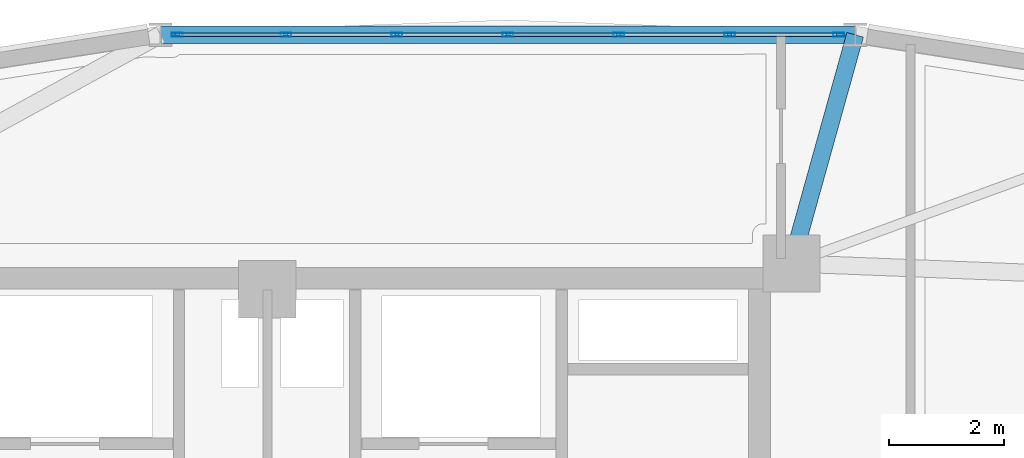
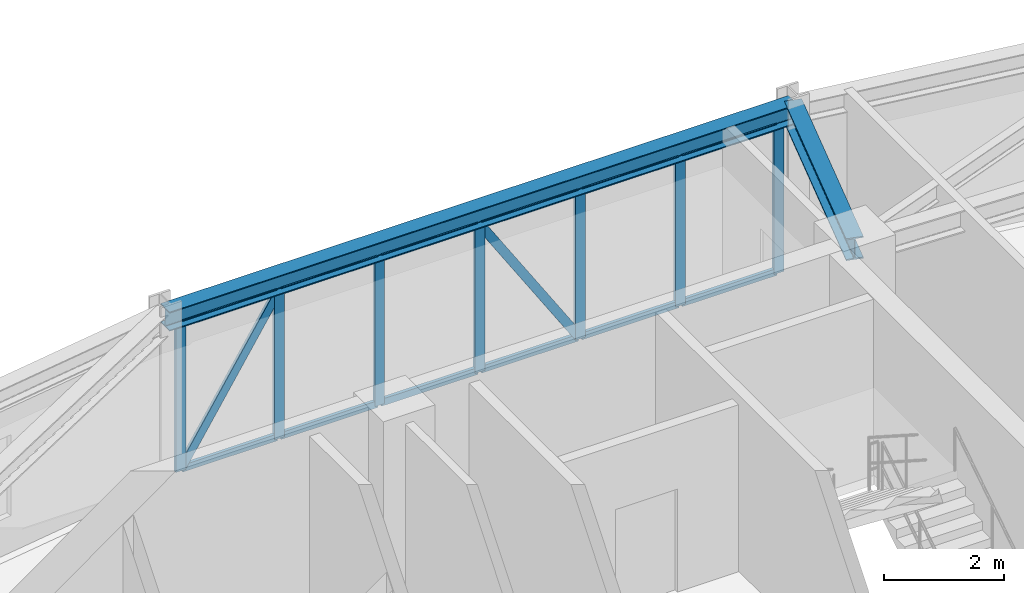
# One storey, part 9 of 16: 21 members, 2 beams, 1 element without a shape of its own.
"""IFC4 building model written with IfcOpenShell, lengths in metres."""

from ifc_helpers import new_model, si_unit, derived_unit, direction, frame, origin, origin_2d, place, context, subcontext, project, spatial, hollow_rectangle, i_section, extrude, source, transform, mapped, material, layer, layer_set, material_profile, profile_set, type_object, element, aggregate, save


model = new_model("IFC4")

# Units and contexts
model_context = context("Model", 3, precision=1e-05, world=origin(), true_north=direction((0.0, 1.0)))
body_context = subcontext(model_context, "Body", "Model", "MODEL_VIEW")
ifc_project = project(units=[si_unit("LENGTHUNIT", "METRE"), si_unit("AREAUNIT", "SQUARE_METRE"), si_unit("VOLUMEUNIT", "CUBIC_METRE"), si_unit("PLANEANGLEUNIT", "RADIAN"), si_unit("MASSUNIT", "GRAM", prefix="KILO"), derived_unit("THERMALTRANSMITTANCEUNIT", [(si_unit("POWERUNIT", "WATT"), 1), (si_unit("LENGTHUNIT", "METRE"), -2), (si_unit("THERMODYNAMICTEMPERATUREUNIT", "KELVIN"), -1)])], contexts=[model_context])

# Site, building, storey
site_placement = place(None, origin())
site = spatial("IfcSite", under=ifc_project, at=site_placement, CompositionType="ELEMENT")
building_placement = place(site_placement, origin())
building = spatial("IfcBuilding", under=site, at=building_placement, Name="Korsvarv Bourse and Concert Hall", CompositionType="ELEMENT")
storey_placement = place(building_placement, frame((0.0, 0.0, 227.39990234375)))
storey = spatial("IfcBuildingStorey", under=building, at=storey_placement, Name="L59", CompositionType="ELEMENT", Elevation=227.39990234375)

# Beams
ifc_material_1 = material(Name="Steel S355", Category="steel")
ifc_material_profile_1 = material_profile(ifc_material_1, i_section(OverallWidth=0.300048828125, OverallDepth=0.389892578125, WebThickness=0.010986328125, FlangeThickness=0.01904296875, FilletRadius=0.02099609375, at=origin_2d()), Name="HEA 400")
ifc_profile_set_1 = profile_set([ifc_material_profile_1], Name="Steel S355")
beam_type_1 = type_object("IfcBeamType", Name="BM-HEA400", PredefinedType="BEAM", material=ifc_profile_set_1)
shared_shape_1 = source(origin(), body_context, "Body", "SweptSolid", [
    extrude(i_section(OverallWidth=0.300048828125, OverallDepth=0.389892578125, WebThickness=0.010986328125, FlangeThickness=0.01904296875, FilletRadius=0.02099609375, at=origin_2d()), origin(), (0.0, 0.0, 1.0), 12.12353515625),
])
beam_1_placement = place(storey_placement, frame((46.26171875, 51.2412109375, 3.215087890625), z_axis=(-1.0, 0.0, 0.0), x_axis=(0.0, -1.0, 0.0)))
element("IfcBeam", 1, at=beam_1_placement, inside=storey, type_object=beam_type_1, Name="L59 beam B-11", PredefinedType="BEAM", context=body_context, shape_type="MappedRepresentation", body=[
    mapped(shared_shape_1, transform((0.0, 0.0, 0.0), scale=1.0)),
])
ifc_material_profile_2 = material_profile(ifc_material_1, i_section(OverallWidth=0.300048828125, OverallDepth=0.449951171875, WebThickness=0.013916015625, FlangeThickness=0.02587890625, FilletRadius=0.02099609375, at=origin_2d()), Name="HEB 450")
ifc_profile_set_2 = profile_set([ifc_material_profile_2], Name="Steel S355")
beam_type_2 = type_object("IfcBeamType", Name="BM-HEB450", PredefinedType="SPANDREL", material=ifc_profile_set_2)
shared_shape_2 = source(origin(), body_context, "Body", "SweptSolid", [
    extrude(i_section(OverallWidth=0.300048828125, OverallDepth=0.449951171875, WebThickness=0.013916015625, FlangeThickness=0.02587890625, FilletRadius=0.02099609375, at=origin_2d()), origin(), (0.0, 0.0, 1.0), 4.14306640625),
])
beam_2_placement = place(storey_placement, frame((46.26171875, 51.2412109375, 3.18505859375), z_axis=(-0.268348877683, -0.963321794545, 0.0), x_axis=(0.963321794545, -0.268348877683, 0.0)))
element("IfcBeam", 2, at=beam_2_placement, inside=storey, type_object=beam_type_2, Name="L59 beam B-08", PredefinedType="SPANDREL", context=body_context, shape_type="MappedRepresentation", body=[
    mapped(shared_shape_2, transform((0.0, 0.0, 0.0), scale=1.0)),
])

# Curtain wall, members
ifc_material_2 = material(Name="Anodised aluminium and triple low-E glazing", Category="glass")
ifc_layer = layer(ifc_material_2, 0.199951171875)
ifc_layer_set = layer_set([ifc_layer], Name="Anodised aluminium and triple low-E glazing")
curtain_wall_type = type_object("IfcCurtainWallType", Name="CW-SYS-3", PredefinedType="NOTDEFINED", material=ifc_layer_set)
curtain_wall_placement = place(storey_placement, origin())
curtain_wall = element("IfcCurtainWall", 3, at=curtain_wall_placement, inside=storey, type_object=curtain_wall_type, Name="L59 CW3 curtain wall CW-L59-F03", PredefinedType="NOTDEFINED")
ifc_material_3 = material(Name="Extruded aluminium EN AW-6063 T66", Category="aluminium")
ifc_material_profile_3 = material_profile(ifc_material_3, hollow_rectangle(XDim=0.070068359375, YDim=0.18994140625, WallThickness=0.0048828125, at=origin_2d()), Name="ALU-M 70x190")
ifc_profile_set_3 = profile_set([ifc_material_profile_3], Name="Extruded aluminium EN AW-6063 T66")
member_type_1 = type_object("IfcMemberType", Name="CWM-190", PredefinedType="MULLION", material=ifc_profile_set_3)
shared_shape_3 = source(origin(), body_context, "Body", "SweptSolid", [
    extrude(hollow_rectangle(XDim=0.070068359375, YDim=0.18994140625, WallThickness=0.0048828125, at=origin_2d()), origin(), (0.0, 0.0, 1.0), 3.02001953125),
])
member_1_placement = place(storey_placement, frame((45.973876953125, 51.2412109375, 0.0), z_axis=(0.0, 0.0, 1.0), x_axis=(0.0, -1.0, 0.0)))
member_1 = element("IfcMember", 4, at=member_1_placement, type_object=member_type_1, Name="CW3 mullion 1", PredefinedType="MULLION", context=body_context, shape_type="MappedRepresentation", body=[
    mapped(shared_shape_3, transform((0.0, 0.0, 0.0), scale=1.0)),
])
member_2_placement = place(storey_placement, frame((44.072509765625, 51.2412109375, 0.0), z_axis=(0.0, 0.0, 1.0), x_axis=(0.0, -1.0, 0.0)))
member_2 = element("IfcMember", 5, at=member_2_placement, type_object=member_type_1, Name="CW3 mullion 2", PredefinedType="MULLION", context=body_context, shape_type="MappedRepresentation", body=[
    mapped(shared_shape_3, transform((0.0, 0.0, 0.0), scale=1.0)),
])
member_3_placement = place(storey_placement, frame((42.13623046875, 51.2412109375, 0.0), z_axis=(0.0, 0.0, 1.0), x_axis=(0.0, -1.0, 0.0)))
member_3 = element("IfcMember", 6, at=member_3_placement, type_object=member_type_1, Name="CW3 mullion 3", PredefinedType="MULLION", context=body_context, shape_type="MappedRepresentation", body=[
    mapped(shared_shape_3, transform((0.0, 0.0, 0.0), scale=1.0)),
])
member_4_placement = place(storey_placement, frame((40.199951171875, 51.2412109375, 0.0), z_axis=(0.0, 0.0, 1.0), x_axis=(0.0, -1.0, 0.0)))
member_4 = element("IfcMember", 7, at=member_4_placement, type_object=member_type_1, Name="CW3 mullion 4", PredefinedType="MULLION", context=body_context, shape_type="MappedRepresentation", body=[
    mapped(shared_shape_3, transform((0.0, 0.0, 0.0), scale=1.0)),
])
member_5_placement = place(storey_placement, frame((38.263671875, 51.2412109375, 0.0), z_axis=(0.0, 0.0, 1.0), x_axis=(0.0, -1.0, 0.0)))
member_5 = element("IfcMember", 8, at=member_5_placement, type_object=member_type_1, Name="CW3 mullion 5", PredefinedType="MULLION", context=body_context, shape_type="MappedRepresentation", body=[
    mapped(shared_shape_3, transform((0.0, 0.0, 0.0), scale=1.0)),
])
member_6_placement = place(storey_placement, frame((36.327392578125, 51.2412109375, 0.0), z_axis=(0.0, 0.0, 1.0), x_axis=(0.0, -1.0, 0.0)))
member_6 = element("IfcMember", 9, at=member_6_placement, type_object=member_type_1, Name="CW3 mullion 6", PredefinedType="MULLION", context=body_context, shape_type="MappedRepresentation", body=[
    mapped(shared_shape_3, transform((0.0, 0.0, 0.0), scale=1.0)),
])
member_7_placement = place(storey_placement, frame((34.42626953125, 51.2412109375, 0.0), z_axis=(0.0, 0.0, 1.0), x_axis=(0.0, -1.0, 0.0)))
member_7 = element("IfcMember", 10, at=member_7_placement, type_object=member_type_1, Name="CW3 mullion 7", PredefinedType="MULLION", context=body_context, shape_type="MappedRepresentation", body=[
    mapped(shared_shape_3, transform((0.0, 0.0, 0.0), scale=1.0)),
])
ifc_material_profile_4 = material_profile(ifc_material_3, hollow_rectangle(XDim=0.06494140625, YDim=0.139892578125, WallThickness=0.00390625, at=origin_2d()), Name="ALU-T 65x140")
ifc_profile_set_4 = profile_set([ifc_material_profile_4], Name="Extruded aluminium EN AW-6063 T66")
member_type_2 = type_object("IfcMemberType", Name="CWT-140", PredefinedType="USERDEFINED", material=ifc_profile_set_4)
shared_shape_4 = source(origin(), body_context, "Body", "SweptSolid", [
    extrude(hollow_rectangle(XDim=0.06494140625, YDim=0.139892578125, WallThickness=0.00390625, at=origin_2d()), origin(), (0.0, 0.0, 1.0), 1.831298828125),
])
member_8_placement = place(storey_placement, frame((45.938720703125, 51.2412109375, 0.03271484375), z_axis=(-1.0, 0.0, 0.0), x_axis=(0.0, -1.0, 0.0)))
member_8 = element("IfcMember", 11, at=member_8_placement, type_object=member_type_2, Name="CW3 transom 1.1", ObjectType="TRANSOM", PredefinedType="USERDEFINED", context=body_context, shape_type="MappedRepresentation", body=[
    mapped(shared_shape_4, transform((0.0, 0.0, 0.0), scale=1.0)),
])
member_9_placement = place(storey_placement, frame((45.938720703125, 51.2412109375, 2.987548828125), z_axis=(-1.0, 0.0, 0.0), x_axis=(0.0, -1.0, 0.0)))
member_9 = element("IfcMember", 12, at=member_9_placement, type_object=member_type_2, Name="CW3 transom 1.2", ObjectType="TRANSOM", PredefinedType="USERDEFINED", context=body_context, shape_type="MappedRepresentation", body=[
    mapped(shared_shape_4, transform((0.0, 0.0, 0.0), scale=1.0)),
])
member_10_placement = place(storey_placement, frame((36.29248046875, 51.2412109375, 0.03271484375), z_axis=(-1.0, 0.0, 0.0), x_axis=(0.0, -1.0, 0.0)))
member_10 = element("IfcMember", 13, at=member_10_placement, type_object=member_type_2, Name="CW3 transom 6.1", ObjectType="TRANSOM", PredefinedType="USERDEFINED", context=body_context, shape_type="MappedRepresentation", body=[
    mapped(shared_shape_4, transform((0.0, 0.0, 0.0), scale=1.0)),
])
member_11_placement = place(storey_placement, frame((36.29248046875, 51.2412109375, 2.987548828125), z_axis=(-1.0, 0.0, 0.0), x_axis=(0.0, -1.0, 0.0)))
member_11 = element("IfcMember", 14, at=member_11_placement, type_object=member_type_2, Name="CW3 transom 6.2", ObjectType="TRANSOM", PredefinedType="USERDEFINED", context=body_context, shape_type="MappedRepresentation", body=[
    mapped(shared_shape_4, transform((0.0, 0.0, 0.0), scale=1.0)),
])
shared_shape_5 = source(origin(), body_context, "Body", "SweptSolid", [
    extrude(hollow_rectangle(XDim=0.06494140625, YDim=0.139892578125, WallThickness=0.00390625, at=origin_2d()), origin(), (0.0, 0.0, 1.0), 1.8662109375),
])
member_12_placement = place(storey_placement, frame((44.03759765625, 51.2412109375, 0.03271484375), z_axis=(-1.0, 0.0, 0.0), x_axis=(0.0, -1.0, 0.0)))
member_12 = element("IfcMember", 15, at=member_12_placement, type_object=member_type_2, Name="CW3 transom 2.1", ObjectType="TRANSOM", PredefinedType="USERDEFINED", context=body_context, shape_type="MappedRepresentation", body=[
    mapped(shared_shape_5, transform((0.0, 0.0, 0.0), scale=1.0)),
])
member_13_placement = place(storey_placement, frame((44.03759765625, 51.2412109375, 2.987548828125), z_axis=(-1.0, 0.0, 0.0), x_axis=(0.0, -1.0, 0.0)))
member_13 = element("IfcMember", 16, at=member_13_placement, type_object=member_type_2, Name="CW3 transom 2.2", ObjectType="TRANSOM", PredefinedType="USERDEFINED", context=body_context, shape_type="MappedRepresentation", body=[
    mapped(shared_shape_5, transform((0.0, 0.0, 0.0), scale=1.0)),
])
member_14_placement = place(storey_placement, frame((42.101318359375, 51.2412109375, 0.03271484375), z_axis=(-1.0, 0.0, 0.0), x_axis=(0.0, -1.0, 0.0)))
member_14 = element("IfcMember", 17, at=member_14_placement, type_object=member_type_2, Name="CW3 transom 3.1", ObjectType="TRANSOM", PredefinedType="USERDEFINED", context=body_context, shape_type="MappedRepresentation", body=[
    mapped(shared_shape_5, transform((0.0, 0.0, 0.0), scale=1.0)),
])
member_15_placement = place(storey_placement, frame((42.101318359375, 51.2412109375, 2.987548828125), z_axis=(-1.0, 0.0, 0.0), x_axis=(0.0, -1.0, 0.0)))
member_15 = element("IfcMember", 18, at=member_15_placement, type_object=member_type_2, Name="CW3 transom 3.2", ObjectType="TRANSOM", PredefinedType="USERDEFINED", context=body_context, shape_type="MappedRepresentation", body=[
    mapped(shared_shape_5, transform((0.0, 0.0, 0.0), scale=1.0)),
])
member_16_placement = place(storey_placement, frame((40.1650390625, 51.2412109375, 0.03271484375), z_axis=(-1.0, 0.0, 0.0), x_axis=(0.0, -1.0, 0.0)))
member_16 = element("IfcMember", 19, at=member_16_placement, type_object=member_type_2, Name="CW3 transom 4.1", ObjectType="TRANSOM", PredefinedType="USERDEFINED", context=body_context, shape_type="MappedRepresentation", body=[
    mapped(shared_shape_5, transform((0.0, 0.0, 0.0), scale=1.0)),
])
member_17_placement = place(storey_placement, frame((40.1650390625, 51.2412109375, 2.987548828125), z_axis=(-1.0, 0.0, 0.0), x_axis=(0.0, -1.0, 0.0)))
member_17 = element("IfcMember", 20, at=member_17_placement, type_object=member_type_2, Name="CW3 transom 4.2", ObjectType="TRANSOM", PredefinedType="USERDEFINED", context=body_context, shape_type="MappedRepresentation", body=[
    mapped(shared_shape_5, transform((0.0, 0.0, 0.0), scale=1.0)),
])
member_18_placement = place(storey_placement, frame((38.228759765625, 51.2412109375, 0.03271484375), z_axis=(-1.0, 0.0, 0.0), x_axis=(0.0, -1.0, 0.0)))
member_18 = element("IfcMember", 21, at=member_18_placement, type_object=member_type_2, Name="CW3 transom 5.1", ObjectType="TRANSOM", PredefinedType="USERDEFINED", context=body_context, shape_type="MappedRepresentation", body=[
    mapped(shared_shape_5, transform((0.0, 0.0, 0.0), scale=1.0)),
])
member_19_placement = place(storey_placement, frame((38.228759765625, 51.2412109375, 2.987548828125), z_axis=(-1.0, 0.0, 0.0), x_axis=(0.0, -1.0, 0.0)))
member_19 = element("IfcMember", 22, at=member_19_placement, type_object=member_type_2, Name="CW3 transom 5.2", ObjectType="TRANSOM", PredefinedType="USERDEFINED", context=body_context, shape_type="MappedRepresentation", body=[
    mapped(shared_shape_5, transform((0.0, 0.0, 0.0), scale=1.0)),
])
ifc_material_profile_5 = material_profile(ifc_material_3, hollow_rectangle(XDim=0.06494140625, YDim=0.1650390625, WallThickness=0.0048828125, at=origin_2d()), Name="ALU-M 65x165")
ifc_profile_set_5 = profile_set([ifc_material_profile_5], Name="Extruded aluminium EN AW-6063 T66")
member_type_3 = type_object("IfcMemberType", Name="CWM-165", PredefinedType="MULLION", material=ifc_profile_set_5)
shared_shape_6 = source(origin(), body_context, "Body", "SweptSolid", [
    extrude(hollow_rectangle(XDim=0.06494140625, YDim=0.1650390625, WallThickness=0.0048828125, at=origin_2d()), origin(), (0.0, 0.0, 1.0), 3.440185546875),
])
member_20_placement = place(storey_placement, frame((42.101318359375, 51.2412109375, 0.065185546875), z_axis=(-0.542488913863, 0.0, 0.840062960936), x_axis=(0.0, -1.0, 0.0)))
member_20 = element("IfcMember", 23, at=member_20_placement, type_object=member_type_3, Name="CW3 diagonal mullion 3", PredefinedType="MULLION", context=body_context, shape_type="MappedRepresentation", body=[
    mapped(shared_shape_6, transform((0.0, 0.0, 0.0), scale=1.0)),
])
shared_shape_7 = source(origin(), body_context, "Body", "SweptSolid", [
    extrude(hollow_rectangle(XDim=0.06494140625, YDim=0.1650390625, WallThickness=0.0048828125, at=origin_2d()), origin(), (0.0, 0.0, 1.0), 3.42138671875),
])
member_21_placement = place(storey_placement, frame((34.461181640625, 51.2412109375, 0.065185546875), z_axis=(0.535267670204, 0.0, 0.844682497294), x_axis=(0.0, 1.0, 0.0)))
member_21 = element("IfcMember", 24, at=member_21_placement, type_object=member_type_3, Name="CW3 diagonal mullion 6", PredefinedType="MULLION", context=body_context, shape_type="MappedRepresentation", body=[
    mapped(shared_shape_7, transform((0.0, 0.0, 0.0), scale=1.0)),
])
aggregate(curtain_wall, [member_1, member_2, member_3, member_4, member_5, member_6, member_7, member_8, member_9, member_12, member_13, member_14, member_15, member_20, member_16, member_17, member_18, member_19, member_10, member_11, member_21])

save(model, "model.ifc")
